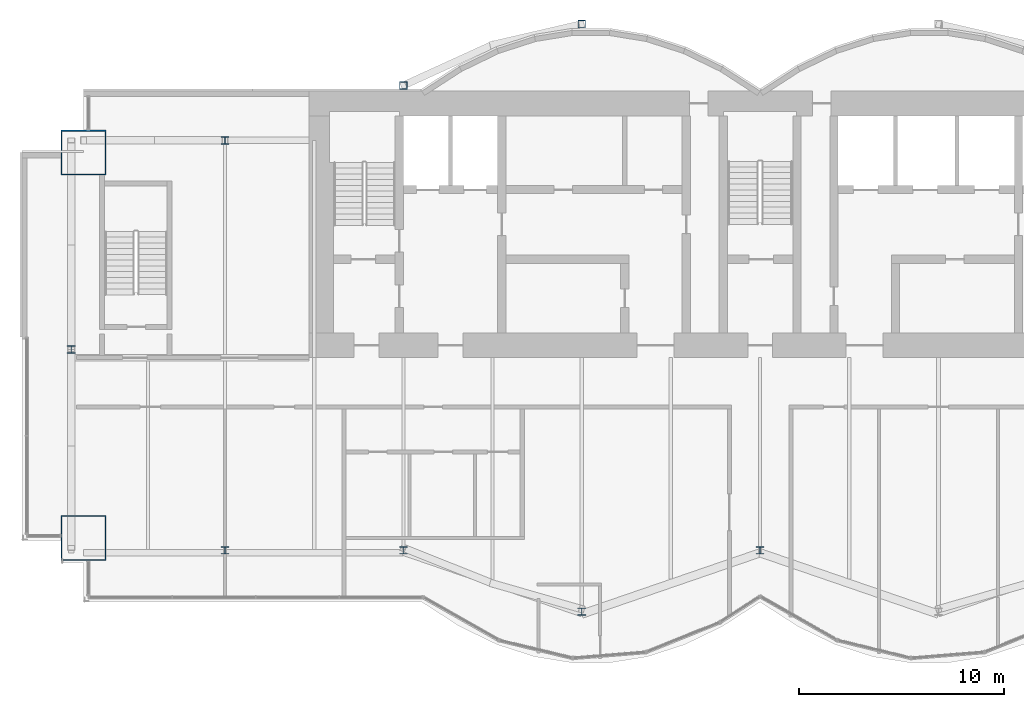
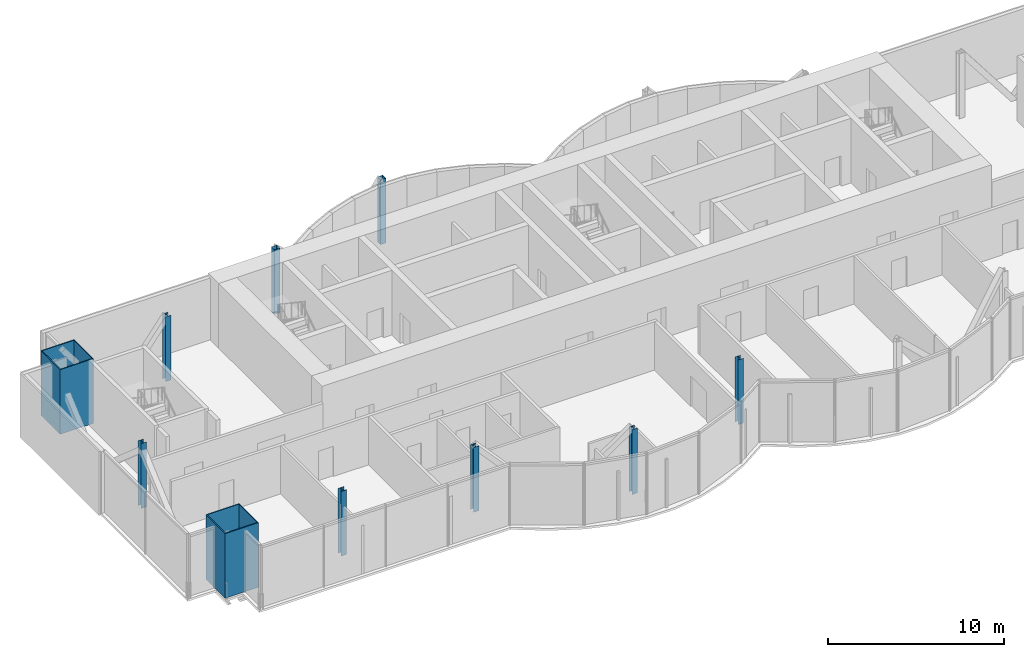
# One storey, part 1 of 16: 10 columns.
"""IFC4 building model written with IfcOpenShell, lengths in metres."""

from ifc_helpers import new_model, si_unit, direction, frame, origin, origin_2d, place, context, subcontext, project, spatial, hollow_rectangle, i_section, extrude, material, material_profile, profile_set, type_object, element, save


model = new_model("IFC4")

# Units and contexts
model_context = context("Model", 3, precision=1e-05, world=origin(), true_north=direction((0.0, 1.0)))
body_context = subcontext(model_context, "Body", "Model", "MODEL_VIEW")
ifc_project = project(units=[si_unit("LENGTHUNIT", "METRE"), si_unit("AREAUNIT", "SQUARE_METRE"), si_unit("VOLUMEUNIT", "CUBIC_METRE"), si_unit("PLANEANGLEUNIT", "RADIAN"), si_unit("MASSUNIT", "GRAM", prefix="KILO")], contexts=[model_context])

# Site, building, storey
site_placement = place(None, origin())
site = spatial("IfcSite", under=ifc_project, at=site_placement, CompositionType="ELEMENT")
building_placement = place(site_placement, origin())
building = spatial("IfcBuilding", under=site, at=building_placement, Name="Bicima Exchange Tower", CompositionType="ELEMENT")
storey_placement = place(building_placement, frame((0.0, 0.0, 338.0)))
storey = spatial("IfcBuildingStorey", under=building, at=storey_placement, Name="L76", CompositionType="ELEMENT", Elevation=338.0)

# Columns
ifc_material_1 = material(Name="Steel ASTM A572 Gr 50", Category="steel")
ifc_material_profile_1 = material_profile(ifc_material_1, hollow_rectangle(XDim=2.199951171875, YDim=2.199951171875, WallThickness=0.06005859375, at=origin_2d()))
ifc_profile_set_1 = profile_set([ifc_material_profile_1], Name="Steel ASTM A572 Gr 50")
column_type_1 = type_object("IfcColumnType", Name="Mega column BOX 2200x2200x60", PredefinedType="COLUMN", material=ifc_profile_set_1)
for number, where, z_axis, x_axis, name in (
    (1, (-33.0, -21.798095703125, 0.0), (0.0, 0.0, 1.0), (1.0, 0.0, 0.0), "Mega column mega-33.0f"),
    (2, (-33.0, -3.0, 0.0), (0.0, 0.0, 1.0), (1.0, 0.0, 0.0), "Mega column mega-33.0r"),
):
    element("IfcColumn", number, at=place(storey_placement, frame(where, z_axis=z_axis, x_axis=x_axis)), inside=storey, type_object=column_type_1, Name=name, PredefinedType="COLUMN", context=body_context, shape_type="SweptSolid", body=[
        extrude(hollow_rectangle(XDim=2.199951171875, YDim=2.199951171875, WallThickness=0.06005859375, at=origin_2d()), origin(), (0.0, 0.0, 1.0), 4.5),
    ])
ifc_material_2 = material(Name="Steel ASTM A992 Gr 50", Category="steel")
ifc_material_profile_2 = material_profile(ifc_material_2, i_section(OverallWidth=0.368408203125, OverallDepth=0.355712890625, WebThickness=0.01123046875, FlangeThickness=0.01806640625, at=origin_2d()))
ifc_profile_set_2 = profile_set([ifc_material_profile_2], Name="Steel ASTM A992 Gr 50")
column_type_2 = type_object("IfcColumnType", Name="Perimeter column W14x90", PredefinedType="COLUMN", material=ifc_profile_set_2)
for number, where, z_axis, x_axis, name in (
    (3, (-26.10009765625, -22.39794921875, 0.0), (0.0, 0.0, 1.0), (1.0, 0.0, 0.0), "Perimeter column grav-26.1f"),
    (4, (-26.10009765625, -2.39990234375, 0.0), (0.0, 0.0, 1.0), (1.0, 0.0, 0.0), "Perimeter column grav-26.1r"),
    (5, (-17.39990234375, -22.39794921875, 0.0), (0.0, 0.0, 1.0), (1.0, 0.0, 0.0), "Perimeter column grav-17.4f"),
    (6, (-8.699951171875, -25.38916015625, 0.0), (0.0, 0.0, 1.0), (1.0, 0.0, 0.0), "Perimeter column grav-8.7f"),
    (7, (0.0, -22.39794921875, 0.0), (0.0, 0.0, 1.0), (1.0, 0.0, 0.0), "Perimeter column grav-0.0f"),
    (8, (-33.60009765625, -12.60009765625, 0.0), (0.0, 0.0, 1.0), (1.0, 0.0, 0.0), "End column end-33.6e"),
):
    element("IfcColumn", number, at=place(storey_placement, frame(where, z_axis=z_axis, x_axis=x_axis)), inside=storey, type_object=column_type_2, Name=name, PredefinedType="COLUMN", context=body_context, shape_type="SweptSolid", body=[
        extrude(i_section(OverallWidth=0.368408203125, OverallDepth=0.355712890625, WebThickness=0.01123046875, FlangeThickness=0.01806640625, at=origin_2d()), origin(), (0.0, 0.0, 1.0), 4.5),
    ])
ifc_material_profile_3 = material_profile(ifc_material_1, hollow_rectangle(XDim=0.355712890625, YDim=0.355712890625, WallThickness=0.01171875, at=origin_2d()))
ifc_profile_set_3 = profile_set([ifc_material_profile_3], Name="Steel ASTM A572 Gr 50")
column_type_3 = type_object("IfcColumnType", Name="Rear pilaster HSS14x14x1/2", PredefinedType="COLUMN", material=ifc_profile_set_3)
for number, where, z_axis, x_axis, name in (
    (9, (-8.699951171875, 3.26904296875, 0.0), (0.0, 0.0, 1.0), (1.0, 0.0, 0.0), "Rear pilaster rexo-8.7r"),
    (10, (-17.39990234375, 0.278076171875, 0.0), (0.0, 0.0, 1.0), (1.0, 0.0, 0.0), "Rear pilaster rexo-17.4r"),
):
    element("IfcColumn", number, at=place(storey_placement, frame(where, z_axis=z_axis, x_axis=x_axis)), inside=storey, type_object=column_type_3, Name=name, PredefinedType="COLUMN", context=body_context, shape_type="SweptSolid", body=[
        extrude(hollow_rectangle(XDim=0.355712890625, YDim=0.355712890625, WallThickness=0.01171875, at=origin_2d()), origin(), (0.0, 0.0, 1.0), 4.5),
    ])

save(model, "model.ifc")
